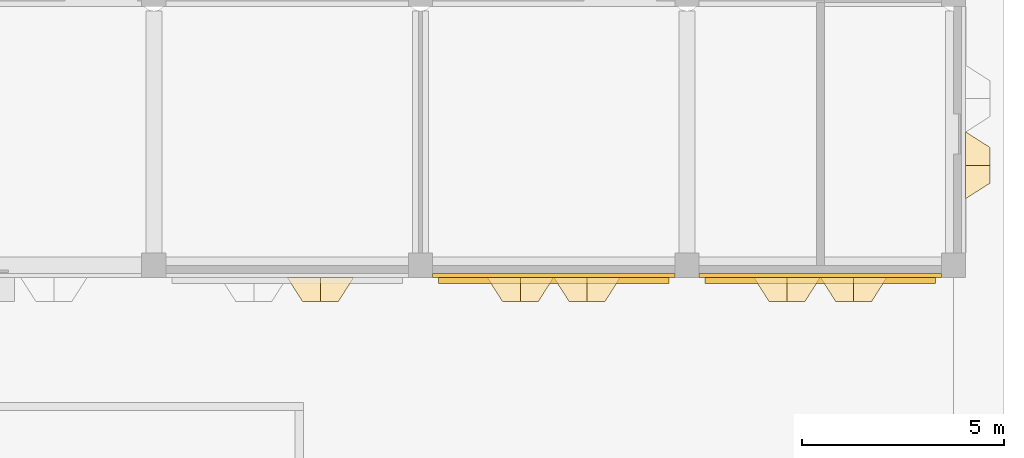
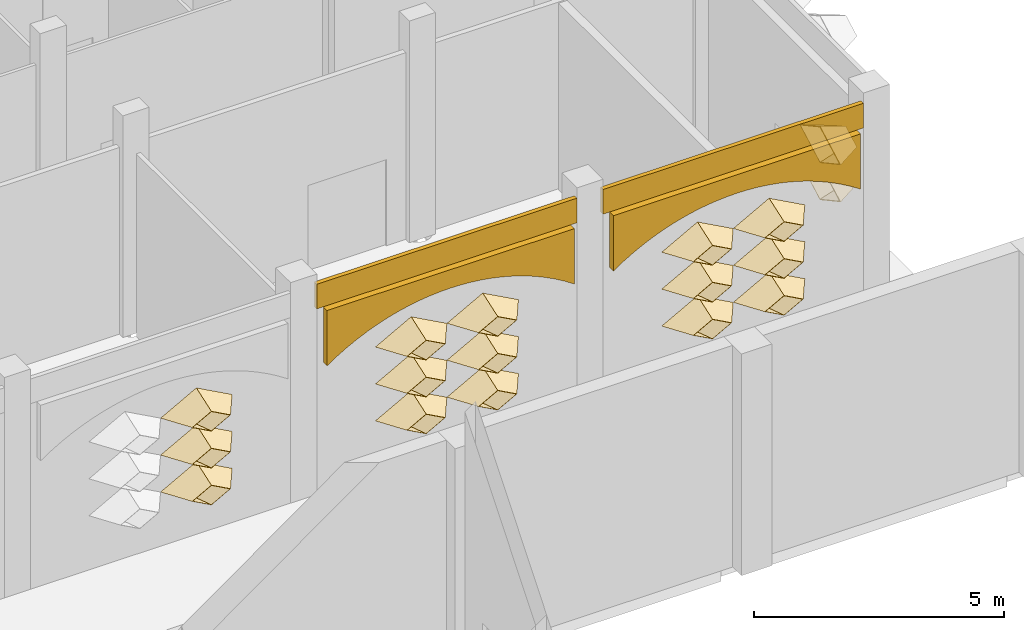
# One storey, part 80 of 85: 21 coverings.
"""IFC4 building model written with IfcOpenShell, lengths in metres."""

from ifc_helpers import new_model, entity, si_unit, direction, frame, frame_2d, origin, place, context, subcontext, project, spatial, polyline, rectangle, outline, extrude, material, layer, layer_set, type_object, element, save


model = new_model("IFC4")

# Units and contexts
model_context = context("Model", 3, precision=1e-05, world=origin(), true_north=direction((0.0, 1.0)))
body_context = subcontext(model_context, "Body", "Model", "MODEL_VIEW")
ifc_project = project(units=[si_unit("LENGTHUNIT", "METRE"), si_unit("AREAUNIT", "SQUARE_METRE"), si_unit("VOLUMEUNIT", "CUBIC_METRE"), si_unit("PLANEANGLEUNIT", "RADIAN"), si_unit("MASSUNIT", "GRAM", prefix="KILO")], contexts=[model_context])

# Site, building, storey
site_placement = place(None, origin())
site = spatial("IfcSite", under=ifc_project, at=site_placement, CompositionType="ELEMENT")
building_placement = place(site_placement, origin())
building = spatial("IfcBuilding", under=site, at=building_placement, Name="Lantern Court Research Institute", CompositionType="ELEMENT")
storey_placement = place(building_placement, origin())
storey = spatial("IfcBuildingStorey", under=building, at=storey_placement, Name="L00", CompositionType="ELEMENT", Elevation=0.0)

# Coverings
ifc_material_1 = material(Name="Glass fibre reinforced concrete cladding", Category="concrete")
ifc_layer_1 = layer(ifc_material_1, 0.25)
ifc_layer_set_1 = layer_set([ifc_layer_1], Name="Glass fibre reinforced concrete cladding")
covering_type_1 = type_object("IfcCoveringType", Name="Arcade frieze panel 250 glass fibre reinforced concrete", PredefinedType="CLADDING", material=ifc_layer_set_1)
covering_1_placement = place(storey_placement, frame((0.0, 82.199951171875, 0.0), z_axis=(0.0, -1.0, 0.0), x_axis=(1.0, 0.0, 0.0)))
element("IfcCovering", 1, at=covering_1_placement, inside=storey, type_object=covering_type_1, Name="Cloister arched frieze panel 7", PredefinedType="CLADDING", context=body_context, shape_type="SweptSolid", body=[
    extrude(outline(polyline([(66.449951171875, 4.550048828125), (66.449951171875, 3.199951171875), (66.6875, 3.356689453125), (66.925048828125, 3.494873046875), (67.16259765625, 3.615966796875), (67.39990234375, 3.721923828125), (67.637451171875, 3.813232421875), (67.875, 3.89111328125), (68.112548828125, 3.955810546875), (68.35009765625, 4.00830078125), (68.58740234375, 4.048583984375), (68.824951171875, 4.0771484375), (69.0625, 4.09423828125), (69.300048828125, 4.10009765625), (69.53759765625, 4.09423828125), (69.77490234375, 4.0771484375), (70.012451171875, 4.048583984375), (70.25, 4.00830078125), (70.487548828125, 3.955810546875), (70.72509765625, 3.89111328125), (70.96240234375, 3.813232421875), (71.199951171875, 3.721923828125), (71.4375, 3.615966796875), (71.675048828125, 3.494873046875), (71.91259765625, 3.356689453125), (72.14990234375, 3.199951171875), (72.14990234375, 4.550048828125), (66.449951171875, 4.550048828125)])), origin(), (0.0, 0.0, 1.0), 0.14990234375),
])
covering_2_placement = place(storey_placement, frame((0.0, 82.199951171875, 0.0), z_axis=(0.0, -1.0, 0.0), x_axis=(1.0, 0.0, 0.0)))
element("IfcCovering", 2, at=covering_2_placement, inside=storey, type_object=covering_type_1, Name="Cloister arched frieze panel 8", PredefinedType="CLADDING", context=body_context, shape_type="SweptSolid", body=[
    extrude(outline(polyline([(73.050048828125, 4.550048828125), (73.050048828125, 3.199951171875), (73.28759765625, 3.356689453125), (73.52490234375, 3.494873046875), (73.762451171875, 3.615966796875), (74.0, 3.721923828125), (74.237548828125, 3.813232421875), (74.47509765625, 3.89111328125), (74.71240234375, 3.955810546875), (74.949951171875, 4.00830078125), (75.1875, 4.048583984375), (75.425048828125, 4.0771484375), (75.66259765625, 4.09423828125), (75.89990234375, 4.10009765625), (76.137451171875, 4.09423828125), (76.375, 4.0771484375), (76.612548828125, 4.048583984375), (76.85009765625, 4.00830078125), (77.08740234375, 3.955810546875), (77.324951171875, 3.89111328125), (77.5625, 3.813232421875), (77.800048828125, 3.721923828125), (78.03759765625, 3.615966796875), (78.27490234375, 3.494873046875), (78.512451171875, 3.356689453125), (78.75, 3.199951171875), (78.75, 4.550048828125), (73.050048828125, 4.550048828125)])), origin(), (0.0, 0.0, 1.0), 0.14990234375),
])
ifc_material_2 = material(Name="Aluminium composite panel with mineral wool insulation", Category="aluminium")
ifc_layer_2 = layer(ifc_material_2, 0.10009765625)
ifc_layer_set_2 = layer_set([ifc_layer_2], Name="Aluminium composite panel with mineral wool insulation")
covering_type_2 = type_object("IfcCoveringType", Name="Edge fascia panel 100 aluminium faced", PredefinedType="CLADDING", material=ifc_layer_set_2)
for number, where, z_axis, x_axis, name in (
    (3, (72.300048828125, 82.25, 4.550048828125), (0.0, 0.0, 1.0), (-1.0, 0.0, 0.0), "Edge fascia V6S L00 09"),
    (4, (78.89990234375, 82.25, 4.550048828125), (0.0, 0.0, 1.0), (-1.0, 0.0, 0.0), "Edge fascia V6S L00 10"),
):
    element("IfcCovering", number, at=place(storey_placement, frame(where, z_axis=z_axis, x_axis=x_axis)), inside=storey, type_object=covering_type_2, Name=name, PredefinedType="CLADDING", context=body_context, shape_type="SweptSolid", body=[
        extrude(rectangle(XDim=6.0, YDim=0.10009765625, at=frame_2d((3.0, 0.0))), origin(), (0.0, 0.0, 1.0), 0.599853515625),
    ])
ifc_material_3 = material(Name="Anodised aluminium", Category="aluminium")
ifc_layer_3 = layer(ifc_material_3, 0.01611328125)
ifc_layer_set_3 = layer_set([ifc_layer_3], Name="Anodised aluminium")
covering_type_3 = type_object("IfcCoveringType", Name="Fin cassette 1650 x 900 x 600 aluminium", PredefinedType="CLADDING", material=ifc_layer_set_3)
covering_3_placement = place(storey_placement, frame((79.5, 84.97509765625, 1.35009765625), z_axis=(1.0, 0.0, 0.0), x_axis=(0.0, 1.0, 0.0)))
cartesian_point_1 = entity("IfcCartesianPoint", [0.824951171875, 0.0])
cartesian_point_2 = entity("IfcCartesianPoint", [0.79150390625, 0.0])
cartesian_point_3 = entity("IfcCartesianPoint", [0.44189453125, 0.0])
cartesian_point_4 = entity("IfcCartesianPoint", [0.43359375, 0.0])
element("IfcCovering", 5, at=covering_3_placement, inside=storey, type_object=covering_type_3, Name="Fin cassette V6E-L00 2.52", PredefinedType="CLADDING", context=body_context, shape_type="SweptSolid", body=[
    entity("IfcExtrudedAreaSolidTapered", entity("IfcArbitraryProfileDefWithVoids", "AREA", None, entity("IfcPolyline", [cartesian_point_1, entity("IfcCartesianPoint", [0.0, 0.449951171875]), entity("IfcCartesianPoint", [-0.824951171875, 0.0]), entity("IfcCartesianPoint", [0.0, -0.449951171875]), cartesian_point_1]), [entity("IfcPolyline", [cartesian_point_2, entity("IfcCartesianPoint", [0.0, 0.431884765625]), entity("IfcCartesianPoint", [-0.79150390625, 0.0]), entity("IfcCartesianPoint", [0.0, -0.431884765625]), cartesian_point_2])]), entity("IfcAxis2Placement3D", entity("IfcCartesianPoint", [0.0, 0.0, 0.0])), entity("IfcDirection", [0.0, 0.0, 1.0]), 0.60009765625, entity("IfcArbitraryProfileDefWithVoids", "AREA", None, entity("IfcPolyline", [cartesian_point_3, entity("IfcCartesianPoint", [0.0, 0.240966796875]), entity("IfcCartesianPoint", [-0.44189453125, 0.0]), entity("IfcCartesianPoint", [0.0, -0.240966796875]), cartesian_point_3]), [entity("IfcPolyline", [cartesian_point_4, entity("IfcCartesianPoint", [0.0, 0.236572265625]), entity("IfcCartesianPoint", [-0.43359375, 0.0]), entity("IfcCartesianPoint", [0.0, -0.236572265625]), cartesian_point_4])])),
])
covering_4_placement = place(storey_placement, frame((79.5, 84.97509765625, 2.25), z_axis=(1.0, 0.0, 0.0), x_axis=(0.0, 1.0, 0.0)))
cartesian_point_5 = entity("IfcCartesianPoint", [0.824951171875, 0.0])
cartesian_point_6 = entity("IfcCartesianPoint", [0.79150390625, 0.0])
cartesian_point_7 = entity("IfcCartesianPoint", [0.44189453125, 0.0])
cartesian_point_8 = entity("IfcCartesianPoint", [0.43359375, 0.0])
element("IfcCovering", 6, at=covering_4_placement, inside=storey, type_object=covering_type_3, Name="Fin cassette V6E-L00 3.52", PredefinedType="CLADDING", context=body_context, shape_type="SweptSolid", body=[
    entity("IfcExtrudedAreaSolidTapered", entity("IfcArbitraryProfileDefWithVoids", "AREA", None, entity("IfcPolyline", [cartesian_point_5, entity("IfcCartesianPoint", [0.0, 0.449951171875]), entity("IfcCartesianPoint", [-0.824951171875, 0.0]), entity("IfcCartesianPoint", [0.0, -0.449951171875]), cartesian_point_5]), [entity("IfcPolyline", [cartesian_point_6, entity("IfcCartesianPoint", [0.0, 0.431884765625]), entity("IfcCartesianPoint", [-0.79150390625, 0.0]), entity("IfcCartesianPoint", [0.0, -0.431884765625]), cartesian_point_6])]), entity("IfcAxis2Placement3D", entity("IfcCartesianPoint", [0.0, 0.0, 0.0])), entity("IfcDirection", [0.0, 0.0, 1.0]), 0.60009765625, entity("IfcArbitraryProfileDefWithVoids", "AREA", None, entity("IfcPolyline", [cartesian_point_7, entity("IfcCartesianPoint", [0.0, 0.240966796875]), entity("IfcCartesianPoint", [-0.44189453125, 0.0]), entity("IfcCartesianPoint", [0.0, -0.240966796875]), cartesian_point_7]), [entity("IfcPolyline", [cartesian_point_8, entity("IfcCartesianPoint", [0.0, 0.236572265625]), entity("IfcCartesianPoint", [-0.43359375, 0.0]), entity("IfcCartesianPoint", [0.0, -0.236572265625]), cartesian_point_8])])),
])
covering_5_placement = place(storey_placement, frame((63.52490234375, 82.199951171875, 1.35009765625), z_axis=(0.0, -1.0, 0.0), x_axis=(1.0, 0.0, 0.0)))
cartesian_point_9 = entity("IfcCartesianPoint", [0.824951171875, 0.0])
cartesian_point_10 = entity("IfcCartesianPoint", [0.79150390625, 0.0])
cartesian_point_11 = entity("IfcCartesianPoint", [0.44189453125, 0.0])
cartesian_point_12 = entity("IfcCartesianPoint", [0.43359375, 0.0])
element("IfcCovering", 7, at=covering_5_placement, inside=storey, type_object=covering_type_3, Name="Fin cassette V6S-L00 2.39", PredefinedType="CLADDING", context=body_context, shape_type="SweptSolid", body=[
    entity("IfcExtrudedAreaSolidTapered", entity("IfcArbitraryProfileDefWithVoids", "AREA", None, entity("IfcPolyline", [cartesian_point_9, entity("IfcCartesianPoint", [0.0, 0.449951171875]), entity("IfcCartesianPoint", [-0.824951171875, 0.0]), entity("IfcCartesianPoint", [0.0, -0.449951171875]), cartesian_point_9]), [entity("IfcPolyline", [cartesian_point_10, entity("IfcCartesianPoint", [0.0, 0.431884765625]), entity("IfcCartesianPoint", [-0.79150390625, 0.0]), entity("IfcCartesianPoint", [0.0, -0.431884765625]), cartesian_point_10])]), entity("IfcAxis2Placement3D", entity("IfcCartesianPoint", [0.0, 0.0, 0.0])), entity("IfcDirection", [0.0, 0.0, 1.0]), 0.60009765625, entity("IfcArbitraryProfileDefWithVoids", "AREA", None, entity("IfcPolyline", [cartesian_point_11, entity("IfcCartesianPoint", [0.0, 0.240966796875]), entity("IfcCartesianPoint", [-0.44189453125, 0.0]), entity("IfcCartesianPoint", [0.0, -0.240966796875]), cartesian_point_11]), [entity("IfcPolyline", [cartesian_point_12, entity("IfcCartesianPoint", [0.0, 0.236572265625]), entity("IfcCartesianPoint", [-0.43359375, 0.0]), entity("IfcCartesianPoint", [0.0, -0.236572265625]), cartesian_point_12])])),
])
covering_6_placement = place(storey_placement, frame((68.47509765625, 82.199951171875, 1.35009765625), z_axis=(0.0, -1.0, 0.0), x_axis=(1.0, 0.0, 0.0)))
cartesian_point_13 = entity("IfcCartesianPoint", [0.824951171875, 0.0])
cartesian_point_14 = entity("IfcCartesianPoint", [0.79150390625, 0.0])
cartesian_point_15 = entity("IfcCartesianPoint", [0.44189453125, 0.0])
cartesian_point_16 = entity("IfcCartesianPoint", [0.43359375, 0.0])
element("IfcCovering", 8, at=covering_6_placement, inside=storey, type_object=covering_type_3, Name="Fin cassette V6S-L00 2.42", PredefinedType="CLADDING", context=body_context, shape_type="SweptSolid", body=[
    entity("IfcExtrudedAreaSolidTapered", entity("IfcArbitraryProfileDefWithVoids", "AREA", None, entity("IfcPolyline", [cartesian_point_13, entity("IfcCartesianPoint", [0.0, 0.449951171875]), entity("IfcCartesianPoint", [-0.824951171875, 0.0]), entity("IfcCartesianPoint", [0.0, -0.449951171875]), cartesian_point_13]), [entity("IfcPolyline", [cartesian_point_14, entity("IfcCartesianPoint", [0.0, 0.431884765625]), entity("IfcCartesianPoint", [-0.79150390625, 0.0]), entity("IfcCartesianPoint", [0.0, -0.431884765625]), cartesian_point_14])]), entity("IfcAxis2Placement3D", entity("IfcCartesianPoint", [0.0, 0.0, 0.0])), entity("IfcDirection", [0.0, 0.0, 1.0]), 0.60009765625, entity("IfcArbitraryProfileDefWithVoids", "AREA", None, entity("IfcPolyline", [cartesian_point_15, entity("IfcCartesianPoint", [0.0, 0.240966796875]), entity("IfcCartesianPoint", [-0.44189453125, 0.0]), entity("IfcCartesianPoint", [0.0, -0.240966796875]), cartesian_point_15]), [entity("IfcPolyline", [cartesian_point_16, entity("IfcCartesianPoint", [0.0, 0.236572265625]), entity("IfcCartesianPoint", [-0.43359375, 0.0]), entity("IfcCartesianPoint", [0.0, -0.236572265625]), cartesian_point_16])])),
])
covering_7_placement = place(storey_placement, frame((70.125, 82.199951171875, 1.35009765625), z_axis=(0.0, -1.0, 0.0), x_axis=(1.0, 0.0, 0.0)))
cartesian_point_17 = entity("IfcCartesianPoint", [0.824951171875, 0.0])
cartesian_point_18 = entity("IfcCartesianPoint", [0.79150390625, 0.0])
cartesian_point_19 = entity("IfcCartesianPoint", [0.44189453125, 0.0])
cartesian_point_20 = entity("IfcCartesianPoint", [0.43359375, 0.0])
element("IfcCovering", 9, at=covering_7_placement, inside=storey, type_object=covering_type_3, Name="Fin cassette V6S-L00 2.43", PredefinedType="CLADDING", context=body_context, shape_type="SweptSolid", body=[
    entity("IfcExtrudedAreaSolidTapered", entity("IfcArbitraryProfileDefWithVoids", "AREA", None, entity("IfcPolyline", [cartesian_point_17, entity("IfcCartesianPoint", [0.0, 0.449951171875]), entity("IfcCartesianPoint", [-0.824951171875, 0.0]), entity("IfcCartesianPoint", [0.0, -0.449951171875]), cartesian_point_17]), [entity("IfcPolyline", [cartesian_point_18, entity("IfcCartesianPoint", [0.0, 0.431884765625]), entity("IfcCartesianPoint", [-0.79150390625, 0.0]), entity("IfcCartesianPoint", [0.0, -0.431884765625]), cartesian_point_18])]), entity("IfcAxis2Placement3D", entity("IfcCartesianPoint", [0.0, 0.0, 0.0])), entity("IfcDirection", [0.0, 0.0, 1.0]), 0.60009765625, entity("IfcArbitraryProfileDefWithVoids", "AREA", None, entity("IfcPolyline", [cartesian_point_19, entity("IfcCartesianPoint", [0.0, 0.240966796875]), entity("IfcCartesianPoint", [-0.44189453125, 0.0]), entity("IfcCartesianPoint", [0.0, -0.240966796875]), cartesian_point_19]), [entity("IfcPolyline", [cartesian_point_20, entity("IfcCartesianPoint", [0.0, 0.236572265625]), entity("IfcCartesianPoint", [-0.43359375, 0.0]), entity("IfcCartesianPoint", [0.0, -0.236572265625]), cartesian_point_20])])),
])
covering_8_placement = place(storey_placement, frame((75.074951171875, 82.199951171875, 1.35009765625), z_axis=(0.0, -1.0, 0.0), x_axis=(1.0, 0.0, 0.0)))
cartesian_point_21 = entity("IfcCartesianPoint", [0.824951171875, 0.0])
cartesian_point_22 = entity("IfcCartesianPoint", [0.79150390625, 0.0])
cartesian_point_23 = entity("IfcCartesianPoint", [0.44189453125, 0.0])
cartesian_point_24 = entity("IfcCartesianPoint", [0.43359375, 0.0])
element("IfcCovering", 10, at=covering_8_placement, inside=storey, type_object=covering_type_3, Name="Fin cassette V6S-L00 2.46", PredefinedType="CLADDING", context=body_context, shape_type="SweptSolid", body=[
    entity("IfcExtrudedAreaSolidTapered", entity("IfcArbitraryProfileDefWithVoids", "AREA", None, entity("IfcPolyline", [cartesian_point_21, entity("IfcCartesianPoint", [0.0, 0.449951171875]), entity("IfcCartesianPoint", [-0.824951171875, 0.0]), entity("IfcCartesianPoint", [0.0, -0.449951171875]), cartesian_point_21]), [entity("IfcPolyline", [cartesian_point_22, entity("IfcCartesianPoint", [0.0, 0.431884765625]), entity("IfcCartesianPoint", [-0.79150390625, 0.0]), entity("IfcCartesianPoint", [0.0, -0.431884765625]), cartesian_point_22])]), entity("IfcAxis2Placement3D", entity("IfcCartesianPoint", [0.0, 0.0, 0.0])), entity("IfcDirection", [0.0, 0.0, 1.0]), 0.60009765625, entity("IfcArbitraryProfileDefWithVoids", "AREA", None, entity("IfcPolyline", [cartesian_point_23, entity("IfcCartesianPoint", [0.0, 0.240966796875]), entity("IfcCartesianPoint", [-0.44189453125, 0.0]), entity("IfcCartesianPoint", [0.0, -0.240966796875]), cartesian_point_23]), [entity("IfcPolyline", [cartesian_point_24, entity("IfcCartesianPoint", [0.0, 0.236572265625]), entity("IfcCartesianPoint", [-0.43359375, 0.0]), entity("IfcCartesianPoint", [0.0, -0.236572265625]), cartesian_point_24])])),
])
covering_9_placement = place(storey_placement, frame((76.72509765625, 82.199951171875, 1.35009765625), z_axis=(0.0, -1.0, 0.0), x_axis=(1.0, 0.0, 0.0)))
cartesian_point_25 = entity("IfcCartesianPoint", [0.824951171875, 0.0])
cartesian_point_26 = entity("IfcCartesianPoint", [0.79150390625, 0.0])
cartesian_point_27 = entity("IfcCartesianPoint", [0.44189453125, 0.0])
cartesian_point_28 = entity("IfcCartesianPoint", [0.43359375, 0.0])
element("IfcCovering", 11, at=covering_9_placement, inside=storey, type_object=covering_type_3, Name="Fin cassette V6S-L00 2.47", PredefinedType="CLADDING", context=body_context, shape_type="SweptSolid", body=[
    entity("IfcExtrudedAreaSolidTapered", entity("IfcArbitraryProfileDefWithVoids", "AREA", None, entity("IfcPolyline", [cartesian_point_25, entity("IfcCartesianPoint", [0.0, 0.449951171875]), entity("IfcCartesianPoint", [-0.824951171875, 0.0]), entity("IfcCartesianPoint", [0.0, -0.449951171875]), cartesian_point_25]), [entity("IfcPolyline", [cartesian_point_26, entity("IfcCartesianPoint", [0.0, 0.431884765625]), entity("IfcCartesianPoint", [-0.79150390625, 0.0]), entity("IfcCartesianPoint", [0.0, -0.431884765625]), cartesian_point_26])]), entity("IfcAxis2Placement3D", entity("IfcCartesianPoint", [0.0, 0.0, 0.0])), entity("IfcDirection", [0.0, 0.0, 1.0]), 0.60009765625, entity("IfcArbitraryProfileDefWithVoids", "AREA", None, entity("IfcPolyline", [cartesian_point_27, entity("IfcCartesianPoint", [0.0, 0.240966796875]), entity("IfcCartesianPoint", [-0.44189453125, 0.0]), entity("IfcCartesianPoint", [0.0, -0.240966796875]), cartesian_point_27]), [entity("IfcPolyline", [cartesian_point_28, entity("IfcCartesianPoint", [0.0, 0.236572265625]), entity("IfcCartesianPoint", [-0.43359375, 0.0]), entity("IfcCartesianPoint", [0.0, -0.236572265625]), cartesian_point_28])])),
])
covering_10_placement = place(storey_placement, frame((63.52490234375, 82.199951171875, 2.25), z_axis=(0.0, -1.0, 0.0), x_axis=(1.0, 0.0, 0.0)))
cartesian_point_29 = entity("IfcCartesianPoint", [0.824951171875, 0.0])
cartesian_point_30 = entity("IfcCartesianPoint", [0.79150390625, 0.0])
cartesian_point_31 = entity("IfcCartesianPoint", [0.44189453125, 0.0])
cartesian_point_32 = entity("IfcCartesianPoint", [0.43359375, 0.0])
element("IfcCovering", 12, at=covering_10_placement, inside=storey, type_object=covering_type_3, Name="Fin cassette V6S-L00 3.39", PredefinedType="CLADDING", context=body_context, shape_type="SweptSolid", body=[
    entity("IfcExtrudedAreaSolidTapered", entity("IfcArbitraryProfileDefWithVoids", "AREA", None, entity("IfcPolyline", [cartesian_point_29, entity("IfcCartesianPoint", [0.0, 0.449951171875]), entity("IfcCartesianPoint", [-0.824951171875, 0.0]), entity("IfcCartesianPoint", [0.0, -0.449951171875]), cartesian_point_29]), [entity("IfcPolyline", [cartesian_point_30, entity("IfcCartesianPoint", [0.0, 0.431884765625]), entity("IfcCartesianPoint", [-0.79150390625, 0.0]), entity("IfcCartesianPoint", [0.0, -0.431884765625]), cartesian_point_30])]), entity("IfcAxis2Placement3D", entity("IfcCartesianPoint", [0.0, 0.0, 0.0])), entity("IfcDirection", [0.0, 0.0, 1.0]), 0.60009765625, entity("IfcArbitraryProfileDefWithVoids", "AREA", None, entity("IfcPolyline", [cartesian_point_31, entity("IfcCartesianPoint", [0.0, 0.240966796875]), entity("IfcCartesianPoint", [-0.44189453125, 0.0]), entity("IfcCartesianPoint", [0.0, -0.240966796875]), cartesian_point_31]), [entity("IfcPolyline", [cartesian_point_32, entity("IfcCartesianPoint", [0.0, 0.236572265625]), entity("IfcCartesianPoint", [-0.43359375, 0.0]), entity("IfcCartesianPoint", [0.0, -0.236572265625]), cartesian_point_32])])),
])
covering_11_placement = place(storey_placement, frame((68.47509765625, 82.199951171875, 2.25), z_axis=(0.0, -1.0, 0.0), x_axis=(1.0, 0.0, 0.0)))
cartesian_point_33 = entity("IfcCartesianPoint", [0.824951171875, 0.0])
cartesian_point_34 = entity("IfcCartesianPoint", [0.79150390625, 0.0])
cartesian_point_35 = entity("IfcCartesianPoint", [0.44189453125, 0.0])
cartesian_point_36 = entity("IfcCartesianPoint", [0.43359375, 0.0])
element("IfcCovering", 13, at=covering_11_placement, inside=storey, type_object=covering_type_3, Name="Fin cassette V6S-L00 3.42", PredefinedType="CLADDING", context=body_context, shape_type="SweptSolid", body=[
    entity("IfcExtrudedAreaSolidTapered", entity("IfcArbitraryProfileDefWithVoids", "AREA", None, entity("IfcPolyline", [cartesian_point_33, entity("IfcCartesianPoint", [0.0, 0.449951171875]), entity("IfcCartesianPoint", [-0.824951171875, 0.0]), entity("IfcCartesianPoint", [0.0, -0.449951171875]), cartesian_point_33]), [entity("IfcPolyline", [cartesian_point_34, entity("IfcCartesianPoint", [0.0, 0.431884765625]), entity("IfcCartesianPoint", [-0.79150390625, 0.0]), entity("IfcCartesianPoint", [0.0, -0.431884765625]), cartesian_point_34])]), entity("IfcAxis2Placement3D", entity("IfcCartesianPoint", [0.0, 0.0, 0.0])), entity("IfcDirection", [0.0, 0.0, 1.0]), 0.60009765625, entity("IfcArbitraryProfileDefWithVoids", "AREA", None, entity("IfcPolyline", [cartesian_point_35, entity("IfcCartesianPoint", [0.0, 0.240966796875]), entity("IfcCartesianPoint", [-0.44189453125, 0.0]), entity("IfcCartesianPoint", [0.0, -0.240966796875]), cartesian_point_35]), [entity("IfcPolyline", [cartesian_point_36, entity("IfcCartesianPoint", [0.0, 0.236572265625]), entity("IfcCartesianPoint", [-0.43359375, 0.0]), entity("IfcCartesianPoint", [0.0, -0.236572265625]), cartesian_point_36])])),
])
covering_12_placement = place(storey_placement, frame((70.125, 82.199951171875, 2.25), z_axis=(0.0, -1.0, 0.0), x_axis=(1.0, 0.0, 0.0)))
cartesian_point_37 = entity("IfcCartesianPoint", [0.824951171875, 0.0])
cartesian_point_38 = entity("IfcCartesianPoint", [0.79150390625, 0.0])
cartesian_point_39 = entity("IfcCartesianPoint", [0.44189453125, 0.0])
cartesian_point_40 = entity("IfcCartesianPoint", [0.43359375, 0.0])
element("IfcCovering", 14, at=covering_12_placement, inside=storey, type_object=covering_type_3, Name="Fin cassette V6S-L00 3.43", PredefinedType="CLADDING", context=body_context, shape_type="SweptSolid", body=[
    entity("IfcExtrudedAreaSolidTapered", entity("IfcArbitraryProfileDefWithVoids", "AREA", None, entity("IfcPolyline", [cartesian_point_37, entity("IfcCartesianPoint", [0.0, 0.449951171875]), entity("IfcCartesianPoint", [-0.824951171875, 0.0]), entity("IfcCartesianPoint", [0.0, -0.449951171875]), cartesian_point_37]), [entity("IfcPolyline", [cartesian_point_38, entity("IfcCartesianPoint", [0.0, 0.431884765625]), entity("IfcCartesianPoint", [-0.79150390625, 0.0]), entity("IfcCartesianPoint", [0.0, -0.431884765625]), cartesian_point_38])]), entity("IfcAxis2Placement3D", entity("IfcCartesianPoint", [0.0, 0.0, 0.0])), entity("IfcDirection", [0.0, 0.0, 1.0]), 0.60009765625, entity("IfcArbitraryProfileDefWithVoids", "AREA", None, entity("IfcPolyline", [cartesian_point_39, entity("IfcCartesianPoint", [0.0, 0.240966796875]), entity("IfcCartesianPoint", [-0.44189453125, 0.0]), entity("IfcCartesianPoint", [0.0, -0.240966796875]), cartesian_point_39]), [entity("IfcPolyline", [cartesian_point_40, entity("IfcCartesianPoint", [0.0, 0.236572265625]), entity("IfcCartesianPoint", [-0.43359375, 0.0]), entity("IfcCartesianPoint", [0.0, -0.236572265625]), cartesian_point_40])])),
])
covering_13_placement = place(storey_placement, frame((75.074951171875, 82.199951171875, 2.25), z_axis=(0.0, -1.0, 0.0), x_axis=(1.0, 0.0, 0.0)))
cartesian_point_41 = entity("IfcCartesianPoint", [0.824951171875, 0.0])
cartesian_point_42 = entity("IfcCartesianPoint", [0.79150390625, 0.0])
cartesian_point_43 = entity("IfcCartesianPoint", [0.44189453125, 0.0])
cartesian_point_44 = entity("IfcCartesianPoint", [0.43359375, 0.0])
element("IfcCovering", 15, at=covering_13_placement, inside=storey, type_object=covering_type_3, Name="Fin cassette V6S-L00 3.46", PredefinedType="CLADDING", context=body_context, shape_type="SweptSolid", body=[
    entity("IfcExtrudedAreaSolidTapered", entity("IfcArbitraryProfileDefWithVoids", "AREA", None, entity("IfcPolyline", [cartesian_point_41, entity("IfcCartesianPoint", [0.0, 0.449951171875]), entity("IfcCartesianPoint", [-0.824951171875, 0.0]), entity("IfcCartesianPoint", [0.0, -0.449951171875]), cartesian_point_41]), [entity("IfcPolyline", [cartesian_point_42, entity("IfcCartesianPoint", [0.0, 0.431884765625]), entity("IfcCartesianPoint", [-0.79150390625, 0.0]), entity("IfcCartesianPoint", [0.0, -0.431884765625]), cartesian_point_42])]), entity("IfcAxis2Placement3D", entity("IfcCartesianPoint", [0.0, 0.0, 0.0])), entity("IfcDirection", [0.0, 0.0, 1.0]), 0.60009765625, entity("IfcArbitraryProfileDefWithVoids", "AREA", None, entity("IfcPolyline", [cartesian_point_43, entity("IfcCartesianPoint", [0.0, 0.240966796875]), entity("IfcCartesianPoint", [-0.44189453125, 0.0]), entity("IfcCartesianPoint", [0.0, -0.240966796875]), cartesian_point_43]), [entity("IfcPolyline", [cartesian_point_44, entity("IfcCartesianPoint", [0.0, 0.236572265625]), entity("IfcCartesianPoint", [-0.43359375, 0.0]), entity("IfcCartesianPoint", [0.0, -0.236572265625]), cartesian_point_44])])),
])
covering_14_placement = place(storey_placement, frame((76.72509765625, 82.199951171875, 2.25), z_axis=(0.0, -1.0, 0.0), x_axis=(1.0, 0.0, 0.0)))
cartesian_point_45 = entity("IfcCartesianPoint", [0.824951171875, 0.0])
cartesian_point_46 = entity("IfcCartesianPoint", [0.79150390625, 0.0])
cartesian_point_47 = entity("IfcCartesianPoint", [0.44189453125, 0.0])
cartesian_point_48 = entity("IfcCartesianPoint", [0.43359375, 0.0])
element("IfcCovering", 16, at=covering_14_placement, inside=storey, type_object=covering_type_3, Name="Fin cassette V6S-L00 3.47", PredefinedType="CLADDING", context=body_context, shape_type="SweptSolid", body=[
    entity("IfcExtrudedAreaSolidTapered", entity("IfcArbitraryProfileDefWithVoids", "AREA", None, entity("IfcPolyline", [cartesian_point_45, entity("IfcCartesianPoint", [0.0, 0.449951171875]), entity("IfcCartesianPoint", [-0.824951171875, 0.0]), entity("IfcCartesianPoint", [0.0, -0.449951171875]), cartesian_point_45]), [entity("IfcPolyline", [cartesian_point_46, entity("IfcCartesianPoint", [0.0, 0.431884765625]), entity("IfcCartesianPoint", [-0.79150390625, 0.0]), entity("IfcCartesianPoint", [0.0, -0.431884765625]), cartesian_point_46])]), entity("IfcAxis2Placement3D", entity("IfcCartesianPoint", [0.0, 0.0, 0.0])), entity("IfcDirection", [0.0, 0.0, 1.0]), 0.60009765625, entity("IfcArbitraryProfileDefWithVoids", "AREA", None, entity("IfcPolyline", [cartesian_point_47, entity("IfcCartesianPoint", [0.0, 0.240966796875]), entity("IfcCartesianPoint", [-0.44189453125, 0.0]), entity("IfcCartesianPoint", [0.0, -0.240966796875]), cartesian_point_47]), [entity("IfcPolyline", [cartesian_point_48, entity("IfcCartesianPoint", [0.0, 0.236572265625]), entity("IfcCartesianPoint", [-0.43359375, 0.0]), entity("IfcCartesianPoint", [0.0, -0.236572265625]), cartesian_point_48])])),
])
covering_15_placement = place(storey_placement, frame((63.52490234375, 82.199951171875, 3.14990234375), z_axis=(0.0, -1.0, 0.0), x_axis=(1.0, 0.0, 0.0)))
cartesian_point_49 = entity("IfcCartesianPoint", [0.824951171875, 0.0])
cartesian_point_50 = entity("IfcCartesianPoint", [0.79150390625, 0.0])
cartesian_point_51 = entity("IfcCartesianPoint", [0.44189453125, 0.0])
cartesian_point_52 = entity("IfcCartesianPoint", [0.43359375, 0.0])
element("IfcCovering", 17, at=covering_15_placement, inside=storey, type_object=covering_type_3, Name="Fin cassette V6S-L00 4.39", PredefinedType="CLADDING", context=body_context, shape_type="SweptSolid", body=[
    entity("IfcExtrudedAreaSolidTapered", entity("IfcArbitraryProfileDefWithVoids", "AREA", None, entity("IfcPolyline", [cartesian_point_49, entity("IfcCartesianPoint", [0.0, 0.449951171875]), entity("IfcCartesianPoint", [-0.824951171875, 0.0]), entity("IfcCartesianPoint", [0.0, -0.449951171875]), cartesian_point_49]), [entity("IfcPolyline", [cartesian_point_50, entity("IfcCartesianPoint", [0.0, 0.431884765625]), entity("IfcCartesianPoint", [-0.79150390625, 0.0]), entity("IfcCartesianPoint", [0.0, -0.431884765625]), cartesian_point_50])]), entity("IfcAxis2Placement3D", entity("IfcCartesianPoint", [0.0, 0.0, 0.0])), entity("IfcDirection", [0.0, 0.0, 1.0]), 0.60009765625, entity("IfcArbitraryProfileDefWithVoids", "AREA", None, entity("IfcPolyline", [cartesian_point_51, entity("IfcCartesianPoint", [0.0, 0.240966796875]), entity("IfcCartesianPoint", [-0.44189453125, 0.0]), entity("IfcCartesianPoint", [0.0, -0.240966796875]), cartesian_point_51]), [entity("IfcPolyline", [cartesian_point_52, entity("IfcCartesianPoint", [0.0, 0.236572265625]), entity("IfcCartesianPoint", [-0.43359375, 0.0]), entity("IfcCartesianPoint", [0.0, -0.236572265625]), cartesian_point_52])])),
])
covering_16_placement = place(storey_placement, frame((68.47509765625, 82.199951171875, 3.14990234375), z_axis=(0.0, -1.0, 0.0), x_axis=(1.0, 0.0, 0.0)))
cartesian_point_53 = entity("IfcCartesianPoint", [0.824951171875, 0.0])
cartesian_point_54 = entity("IfcCartesianPoint", [0.79150390625, 0.0])
cartesian_point_55 = entity("IfcCartesianPoint", [0.44189453125, 0.0])
cartesian_point_56 = entity("IfcCartesianPoint", [0.43359375, 0.0])
element("IfcCovering", 18, at=covering_16_placement, inside=storey, type_object=covering_type_3, Name="Fin cassette V6S-L00 4.42", PredefinedType="CLADDING", context=body_context, shape_type="SweptSolid", body=[
    entity("IfcExtrudedAreaSolidTapered", entity("IfcArbitraryProfileDefWithVoids", "AREA", None, entity("IfcPolyline", [cartesian_point_53, entity("IfcCartesianPoint", [0.0, 0.449951171875]), entity("IfcCartesianPoint", [-0.824951171875, 0.0]), entity("IfcCartesianPoint", [0.0, -0.449951171875]), cartesian_point_53]), [entity("IfcPolyline", [cartesian_point_54, entity("IfcCartesianPoint", [0.0, 0.431884765625]), entity("IfcCartesianPoint", [-0.79150390625, 0.0]), entity("IfcCartesianPoint", [0.0, -0.431884765625]), cartesian_point_54])]), entity("IfcAxis2Placement3D", entity("IfcCartesianPoint", [0.0, 0.0, 0.0])), entity("IfcDirection", [0.0, 0.0, 1.0]), 0.60009765625, entity("IfcArbitraryProfileDefWithVoids", "AREA", None, entity("IfcPolyline", [cartesian_point_55, entity("IfcCartesianPoint", [0.0, 0.240966796875]), entity("IfcCartesianPoint", [-0.44189453125, 0.0]), entity("IfcCartesianPoint", [0.0, -0.240966796875]), cartesian_point_55]), [entity("IfcPolyline", [cartesian_point_56, entity("IfcCartesianPoint", [0.0, 0.236572265625]), entity("IfcCartesianPoint", [-0.43359375, 0.0]), entity("IfcCartesianPoint", [0.0, -0.236572265625]), cartesian_point_56])])),
])
covering_17_placement = place(storey_placement, frame((70.125, 82.199951171875, 3.14990234375), z_axis=(0.0, -1.0, 0.0), x_axis=(1.0, 0.0, 0.0)))
cartesian_point_57 = entity("IfcCartesianPoint", [0.824951171875, 0.0])
cartesian_point_58 = entity("IfcCartesianPoint", [0.79150390625, 0.0])
cartesian_point_59 = entity("IfcCartesianPoint", [0.44189453125, 0.0])
cartesian_point_60 = entity("IfcCartesianPoint", [0.43359375, 0.0])
element("IfcCovering", 19, at=covering_17_placement, inside=storey, type_object=covering_type_3, Name="Fin cassette V6S-L00 4.43", PredefinedType="CLADDING", context=body_context, shape_type="SweptSolid", body=[
    entity("IfcExtrudedAreaSolidTapered", entity("IfcArbitraryProfileDefWithVoids", "AREA", None, entity("IfcPolyline", [cartesian_point_57, entity("IfcCartesianPoint", [0.0, 0.449951171875]), entity("IfcCartesianPoint", [-0.824951171875, 0.0]), entity("IfcCartesianPoint", [0.0, -0.449951171875]), cartesian_point_57]), [entity("IfcPolyline", [cartesian_point_58, entity("IfcCartesianPoint", [0.0, 0.431884765625]), entity("IfcCartesianPoint", [-0.79150390625, 0.0]), entity("IfcCartesianPoint", [0.0, -0.431884765625]), cartesian_point_58])]), entity("IfcAxis2Placement3D", entity("IfcCartesianPoint", [0.0, 0.0, 0.0])), entity("IfcDirection", [0.0, 0.0, 1.0]), 0.60009765625, entity("IfcArbitraryProfileDefWithVoids", "AREA", None, entity("IfcPolyline", [cartesian_point_59, entity("IfcCartesianPoint", [0.0, 0.240966796875]), entity("IfcCartesianPoint", [-0.44189453125, 0.0]), entity("IfcCartesianPoint", [0.0, -0.240966796875]), cartesian_point_59]), [entity("IfcPolyline", [cartesian_point_60, entity("IfcCartesianPoint", [0.0, 0.236572265625]), entity("IfcCartesianPoint", [-0.43359375, 0.0]), entity("IfcCartesianPoint", [0.0, -0.236572265625]), cartesian_point_60])])),
])
covering_18_placement = place(storey_placement, frame((75.074951171875, 82.199951171875, 3.14990234375), z_axis=(0.0, -1.0, 0.0), x_axis=(1.0, 0.0, 0.0)))
cartesian_point_61 = entity("IfcCartesianPoint", [0.824951171875, 0.0])
cartesian_point_62 = entity("IfcCartesianPoint", [0.79150390625, 0.0])
cartesian_point_63 = entity("IfcCartesianPoint", [0.44189453125, 0.0])
cartesian_point_64 = entity("IfcCartesianPoint", [0.43359375, 0.0])
element("IfcCovering", 20, at=covering_18_placement, inside=storey, type_object=covering_type_3, Name="Fin cassette V6S-L00 4.46", PredefinedType="CLADDING", context=body_context, shape_type="SweptSolid", body=[
    entity("IfcExtrudedAreaSolidTapered", entity("IfcArbitraryProfileDefWithVoids", "AREA", None, entity("IfcPolyline", [cartesian_point_61, entity("IfcCartesianPoint", [0.0, 0.449951171875]), entity("IfcCartesianPoint", [-0.824951171875, 0.0]), entity("IfcCartesianPoint", [0.0, -0.449951171875]), cartesian_point_61]), [entity("IfcPolyline", [cartesian_point_62, entity("IfcCartesianPoint", [0.0, 0.431884765625]), entity("IfcCartesianPoint", [-0.79150390625, 0.0]), entity("IfcCartesianPoint", [0.0, -0.431884765625]), cartesian_point_62])]), entity("IfcAxis2Placement3D", entity("IfcCartesianPoint", [0.0, 0.0, 0.0])), entity("IfcDirection", [0.0, 0.0, 1.0]), 0.60009765625, entity("IfcArbitraryProfileDefWithVoids", "AREA", None, entity("IfcPolyline", [cartesian_point_63, entity("IfcCartesianPoint", [0.0, 0.240966796875]), entity("IfcCartesianPoint", [-0.44189453125, 0.0]), entity("IfcCartesianPoint", [0.0, -0.240966796875]), cartesian_point_63]), [entity("IfcPolyline", [cartesian_point_64, entity("IfcCartesianPoint", [0.0, 0.236572265625]), entity("IfcCartesianPoint", [-0.43359375, 0.0]), entity("IfcCartesianPoint", [0.0, -0.236572265625]), cartesian_point_64])])),
])
covering_19_placement = place(storey_placement, frame((76.72509765625, 82.199951171875, 3.14990234375), z_axis=(0.0, -1.0, 0.0), x_axis=(1.0, 0.0, 0.0)))
cartesian_point_65 = entity("IfcCartesianPoint", [0.824951171875, 0.0])
cartesian_point_66 = entity("IfcCartesianPoint", [0.79150390625, 0.0])
cartesian_point_67 = entity("IfcCartesianPoint", [0.44189453125, 0.0])
cartesian_point_68 = entity("IfcCartesianPoint", [0.43359375, 0.0])
element("IfcCovering", 21, at=covering_19_placement, inside=storey, type_object=covering_type_3, Name="Fin cassette V6S-L00 4.47", PredefinedType="CLADDING", context=body_context, shape_type="SweptSolid", body=[
    entity("IfcExtrudedAreaSolidTapered", entity("IfcArbitraryProfileDefWithVoids", "AREA", None, entity("IfcPolyline", [cartesian_point_65, entity("IfcCartesianPoint", [0.0, 0.449951171875]), entity("IfcCartesianPoint", [-0.824951171875, 0.0]), entity("IfcCartesianPoint", [0.0, -0.449951171875]), cartesian_point_65]), [entity("IfcPolyline", [cartesian_point_66, entity("IfcCartesianPoint", [0.0, 0.431884765625]), entity("IfcCartesianPoint", [-0.79150390625, 0.0]), entity("IfcCartesianPoint", [0.0, -0.431884765625]), cartesian_point_66])]), entity("IfcAxis2Placement3D", entity("IfcCartesianPoint", [0.0, 0.0, 0.0])), entity("IfcDirection", [0.0, 0.0, 1.0]), 0.60009765625, entity("IfcArbitraryProfileDefWithVoids", "AREA", None, entity("IfcPolyline", [cartesian_point_67, entity("IfcCartesianPoint", [0.0, 0.240966796875]), entity("IfcCartesianPoint", [-0.44189453125, 0.0]), entity("IfcCartesianPoint", [0.0, -0.240966796875]), cartesian_point_67]), [entity("IfcPolyline", [cartesian_point_68, entity("IfcCartesianPoint", [0.0, 0.236572265625]), entity("IfcCartesianPoint", [-0.43359375, 0.0]), entity("IfcCartesianPoint", [0.0, -0.236572265625]), cartesian_point_68])])),
])

save(model, "model.ifc")
